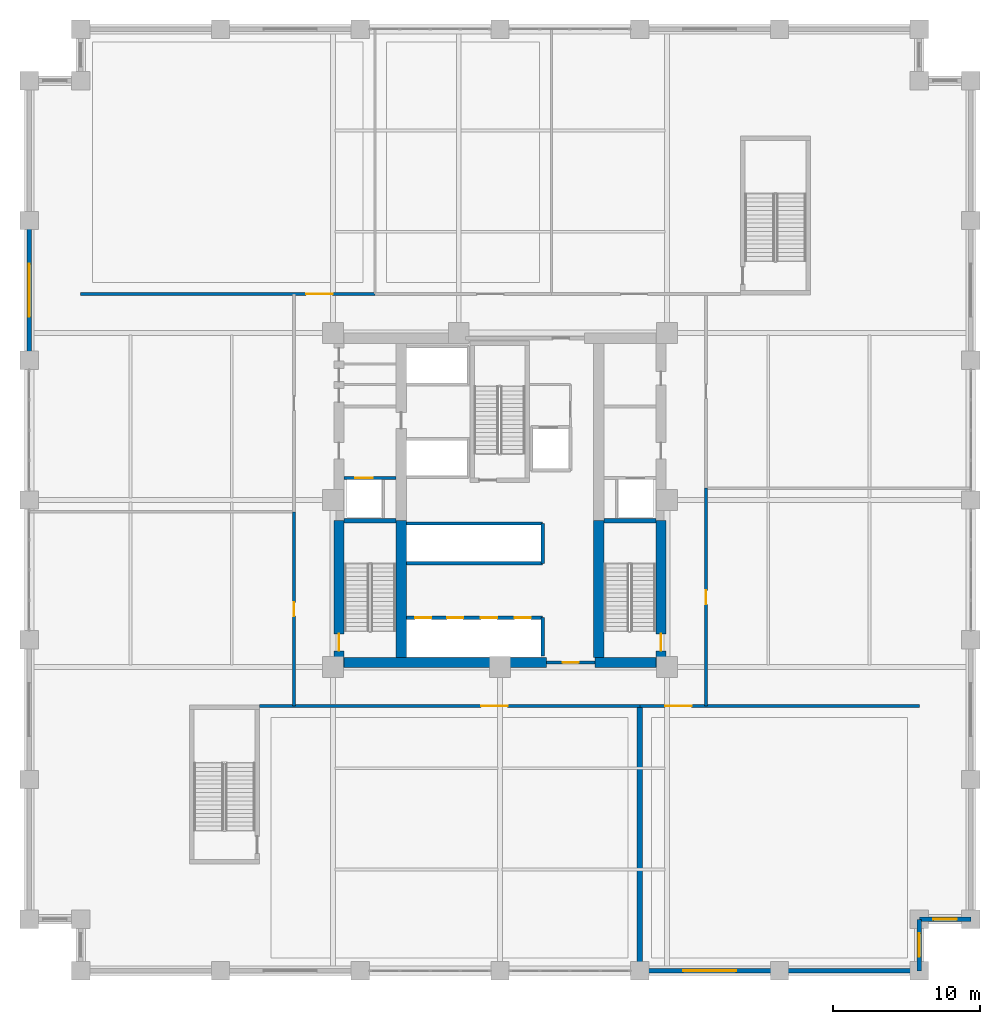
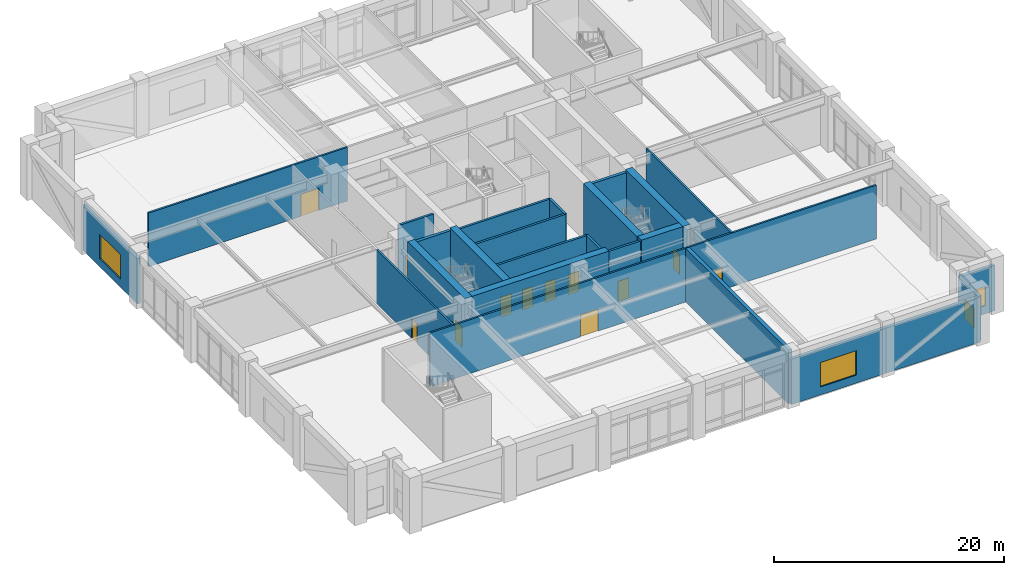
# One storey, part 12 of 21: 26 walls, 13 doors, 4 windows, 17 openings.
"""IFC4 building model written with IfcOpenShell, lengths in metres."""

from ifc_helpers import new_model, si_unit, direction, frame, frame_2d, origin, place, context, subcontext, project, spatial, rectangle, extrude, material, layer, layer_set, type_object, element, fill, save


model = new_model("IFC4")

# Units and contexts
model_context = context("Model", 3, precision=1e-05, world=origin(), true_north=direction((0.0, 1.0)))
body_context = subcontext(model_context, "Body", "Model", "MODEL_VIEW")
ifc_project = project(units=[si_unit("LENGTHUNIT", "METRE"), si_unit("AREAUNIT", "SQUARE_METRE"), si_unit("VOLUMEUNIT", "CUBIC_METRE"), si_unit("PLANEANGLEUNIT", "RADIAN"), si_unit("MASSUNIT", "GRAM", prefix="KILO")], contexts=[model_context])

# Site, building, storey
site_placement = place(None, origin())
site = spatial("IfcSite", under=ifc_project, at=site_placement, CompositionType="ELEMENT")
building_placement = place(site_placement, origin())
building = spatial("IfcBuilding", under=site, at=building_placement, Name="Nhamokura Convention Tower", CompositionType="ELEMENT")
storey_placement = place(building_placement, frame((0.0, 0.0, 17.85009765625)))
storey = spatial("IfcBuildingStorey", under=building, at=storey_placement, Name="L03", CompositionType="ELEMENT", Elevation=17.85009765625)

# Wall, opening, window
ifc_material_1 = material(Name="Bronze-pigmented precast concrete C45/55", Category="concrete")
ifc_layer_1 = layer(ifc_material_1, 0.320068359375)
ifc_layer_set_1 = layer_set([ifc_layer_1], Name="BronzePrecastSpandrel_320")
wall_type_1 = type_object("IfcWallType", Name="BronzePrecastSpandrel_320", PredefinedType="USERDEFINED", material=ifc_layer_set_1)
wall_1_placement = place(storey_placement, frame((51.0, 0.0, 0.0), z_axis=(0.0, 0.0, 1.0), x_axis=(-1.0, 0.0, 0.0)))
wall_1 = element("IfcWall", 1, at=wall_1_placement, inside=storey, type_object=wall_type_1, Name="L03 Masonry-Frame Wall SOUTH 4", ObjectType="SPANDREL_WALL", PredefinedType="USERDEFINED", context=body_context, shape_type="SweptSolid", body=[
    extrude(rectangle(XDim=9.5, YDim=0.320068359375, at=frame_2d((4.75, 0.0))), origin(), (0.0, 0.0, 1.0), 4.809814453125),
])
opening_1_placement = place(wall_1_placement, frame((2.949951171875, 0.0, 0.85009765625)))
opening_1 = element("IfcOpeningElement", 2, at=opening_1_placement, cuts=wall_1, Name="Opening W-01", PredefinedType="OPENING", context=body_context, shape_type="SweptSolid", body=[
    extrude(rectangle(XDim=3.60009765625, YDim=2.60009765625, at=frame_2d((1.800048828125, 1.300048828125))), frame((0.0, 0.169921875, 0.0), z_axis=(0.0, -1.0, 0.0), x_axis=(1.0, 0.0, 0.0)), (0.0, 0.0, 1.0), 0.340087890625),
])
ifc_material_2 = material(Name="Solar-control bronze low-E double glass", Category="glass")
window_type_1 = type_object("IfcWindowType", Name="PodiumClerestoryWindow_3600", PartitioningType="TRIPLE_PANEL_VERTICAL", PredefinedType="WINDOW", material=ifc_material_2)
window_1_placement = place(opening_1_placement, origin())
window_1 = element("IfcWindow", 3, at=window_1_placement, inside=storey, type_object=window_type_1, Name="L03 Facade Window SOUTH 4", OverallHeight=2.60009765625, OverallWidth=3.60009765625, PartitioningType="SINGLE_PANEL", PredefinedType="WINDOW", context=body_context, shape_type="SweptSolid", body=[
    extrude(rectangle(XDim=3.60009765625, YDim=2.60009765625, at=frame_2d((1.800048828125, 1.300048828125))), frame((0.0, 0.030029296875, 0.0), z_axis=(0.0, -1.0, 0.0), x_axis=(1.0, 0.0, 0.0)), (0.0, 0.0, 1.0), 0.06005859375),
])
fill(opening_1, window_1)

# Wall
wall_2_placement = place(storey_placement, frame((60.5, 0.0, 0.0), z_axis=(0.0, 0.0, 1.0), x_axis=(-1.0, 0.0, 0.0)))
element("IfcWall", 4, at=wall_2_placement, inside=storey, type_object=wall_type_1, Name="L03 Braced-Bay Precast Wall SOUTH 5", ObjectType="SPANDREL_WALL", PredefinedType="USERDEFINED", context=body_context, shape_type="SweptSolid", body=[
    extrude(rectangle(XDim=9.5, YDim=0.320068359375, at=frame_2d((4.75, 0.0))), origin(), (0.0, 0.0, 1.0), 4.809814453125),
])

# Wall, opening, window
wall_3_placement = place(storey_placement, frame((0.0, 41.5, 0.0), z_axis=(0.0, 0.0, 1.0), x_axis=(0.0, 1.0, 0.0)))
wall_3 = element("IfcWall", 5, at=wall_3_placement, inside=storey, type_object=wall_type_1, Name="L03 Masonry-Frame Wall WEST 4", ObjectType="SPANDREL_WALL", PredefinedType="USERDEFINED", context=body_context, shape_type="SweptSolid", body=[
    extrude(rectangle(XDim=9.5, YDim=0.320068359375, at=frame_2d((4.75, 0.0))), origin(), (0.0, 0.0, 1.0), 4.809814453125),
])
opening_2_placement = place(wall_3_placement, frame((2.949951171875, 0.0, 0.85009765625)))
opening_2 = element("IfcOpeningElement", 6, at=opening_2_placement, cuts=wall_3, Name="Opening W-01", PredefinedType="OPENING", context=body_context, shape_type="SweptSolid", body=[
    extrude(rectangle(XDim=3.60009765625, YDim=2.60009765625, at=frame_2d((1.800048828125, 1.300048828125))), frame((0.0, 0.169921875, 0.0), z_axis=(0.0, -1.0, 0.0), x_axis=(1.0, 0.0, 0.0)), (0.0, 0.0, 1.0), 0.340087890625),
])
window_2_placement = place(opening_2_placement, origin())
window_2 = element("IfcWindow", 7, at=window_2_placement, inside=storey, type_object=window_type_1, Name="L03 Facade Window WEST 4", OverallHeight=2.60009765625, OverallWidth=3.60009765625, PartitioningType="SINGLE_PANEL", PredefinedType="WINDOW", context=body_context, shape_type="SweptSolid", body=[
    extrude(rectangle(XDim=3.60009765625, YDim=2.60009765625, at=frame_2d((1.800048828125, 1.300048828125))), frame((0.0, 0.030029296875, 0.0), z_axis=(0.0, -1.0, 0.0), x_axis=(1.0, 0.0, 0.0)), (0.0, 0.0, 1.0), 0.06005859375),
])
fill(opening_2, window_2)

wall_4_placement = place(storey_placement, frame((60.5, 3.5, 0.0), z_axis=(0.0, 0.0, 1.0), x_axis=(0.0, -1.0, 0.0)))
wall_4 = element("IfcWall", 8, at=wall_4_placement, inside=storey, type_object=wall_type_1, Name="L03 Notched Corner Wall SE1", ObjectType="SPANDREL_WALL", PredefinedType="USERDEFINED", context=body_context, shape_type="SweptSolid", body=[
    extrude(rectangle(XDim=3.5, YDim=0.320068359375, at=frame_2d((1.75, 0.0))), origin(), (0.0, 0.0, 1.0), 4.809814453125),
])
opening_3_placement = place(wall_4_placement, frame((0.949951171875, 0.0, 0.85009765625)))
opening_3 = element("IfcOpeningElement", 9, at=opening_3_placement, cuts=wall_4, Name="Opening W-11", PredefinedType="OPENING", context=body_context, shape_type="SweptSolid", body=[
    extrude(rectangle(XDim=1.60009765625, YDim=2.050048828125, at=frame_2d((0.800048828125, 1.02490234375))), frame((0.0, 0.169921875, 0.0), z_axis=(0.0, -1.0, 0.0), x_axis=(1.0, 0.0, 0.0)), (0.0, 0.0, 1.0), 0.340087890625),
])
ifc_material_3 = material(Name="Solar-control bronze low-E double glass", Category="glass")
window_type_2 = type_object("IfcWindowType", Name="NotchCornerWindow_1600", PartitioningType="SINGLE_PANEL", PredefinedType="WINDOW", material=ifc_material_3)
window_3_placement = place(opening_3_placement, origin())
window_3 = element("IfcWindow", 10, at=window_3_placement, inside=storey, type_object=window_type_2, Name="L03 Notched Corner Window SE1", OverallHeight=2.050048828125, OverallWidth=1.60009765625, PartitioningType="SINGLE_PANEL", PredefinedType="WINDOW", context=body_context, shape_type="SweptSolid", body=[
    extrude(rectangle(XDim=1.60009765625, YDim=2.050048828125, at=frame_2d((0.800048828125, 1.02490234375))), frame((0.0, 0.030029296875, 0.0), z_axis=(0.0, -1.0, 0.0), x_axis=(1.0, 0.0, 0.0)), (0.0, 0.0, 1.0), 0.06005859375),
])
fill(opening_3, window_3)

wall_5_placement = place(storey_placement, frame((64.0, 3.5, 0.0), z_axis=(0.0, 0.0, 1.0), x_axis=(-1.0, 0.0, 0.0)))
wall_5 = element("IfcWall", 11, at=wall_5_placement, inside=storey, type_object=wall_type_1, Name="L03 Notched Corner Wall SE2", ObjectType="SPANDREL_WALL", PredefinedType="USERDEFINED", context=body_context, shape_type="SweptSolid", body=[
    extrude(rectangle(XDim=3.5, YDim=0.320068359375, at=frame_2d((1.75, 0.0))), origin(), (0.0, 0.0, 1.0), 4.809814453125),
])
opening_4_placement = place(wall_5_placement, frame((0.949951171875, 0.0, 0.85009765625)))
opening_4 = element("IfcOpeningElement", 12, at=opening_4_placement, cuts=wall_5, Name="Opening W-11", PredefinedType="OPENING", context=body_context, shape_type="SweptSolid", body=[
    extrude(rectangle(XDim=1.60009765625, YDim=2.050048828125, at=frame_2d((0.800048828125, 1.02490234375))), frame((0.0, 0.169921875, 0.0), z_axis=(0.0, -1.0, 0.0), x_axis=(1.0, 0.0, 0.0)), (0.0, 0.0, 1.0), 0.340087890625),
])
window_4_placement = place(opening_4_placement, origin())
window_4 = element("IfcWindow", 13, at=window_4_placement, inside=storey, type_object=window_type_2, Name="L03 Notched Corner Window SE2", OverallHeight=2.050048828125, OverallWidth=1.60009765625, PartitioningType="SINGLE_PANEL", PredefinedType="WINDOW", context=body_context, shape_type="SweptSolid", body=[
    extrude(rectangle(XDim=1.60009765625, YDim=2.050048828125, at=frame_2d((0.800048828125, 1.02490234375))), frame((0.0, 0.030029296875, 0.0), z_axis=(0.0, -1.0, 0.0), x_axis=(1.0, 0.0, 0.0)), (0.0, 0.0, 1.0), 0.06005859375),
])
fill(opening_4, window_4)

# Wall, opening, door
ifc_material_4 = material(Name="Concrete C70/85", Category="concrete")
ifc_layer_2 = layer(ifc_material_4, 0.699951171875)
ifc_layer_set_2 = layer_set([ifc_layer_2], Name="CoreShearWall_700")
wall_type_2 = type_object("IfcWallType", Name="CoreShearWall_700", PredefinedType="SHEAR", material=ifc_layer_set_2)
wall_6_placement = place(storey_placement, frame((21.06005859375, 20.60009765625, 0.0), z_axis=(0.0, 0.0, 1.0), x_axis=(0.0, 1.0, 0.0)))
wall_6 = element("IfcWall", 14, at=wall_6_placement, inside=storey, type_object=wall_type_2, Name="L03 Core Shear Wall CW-WS", PredefinedType="SHEAR", context=body_context, shape_type="SweptSolid", body=[
    extrude(rectangle(XDim=10.0, YDim=0.699951171875, at=frame_2d((5.0, 0.0))), origin(), (0.0, 0.0, 1.0), 5.949951171875),
])
opening_5_placement = place(wall_6_placement, frame((1.14990234375, 0.0, 0.0)))
opening_5 = element("IfcOpeningElement", 15, at=opening_5_placement, cuts=wall_6, Name="Opening D-04", PredefinedType="OPENING", context=body_context, shape_type="SweptSolid", body=[
    extrude(rectangle(XDim=1.14990234375, YDim=2.14990234375, at=frame_2d((0.574951171875, 1.074951171875))), frame((0.0, 0.35986328125, 0.0), z_axis=(0.0, -1.0, 0.0), x_axis=(1.0, 0.0, 0.0)), (0.0, 0.0, 1.0), 0.719970703125),
])
ifc_material_5 = material(Name="Fire-rated steel door", Category="steel")
door_type_1 = type_object("IfcDoorType", Name="StairSmokeDoor_1150", OperationType="NOTDEFINED", PredefinedType="DOOR", material=ifc_material_5)
door_1_placement = place(opening_5_placement, origin())
door_1 = element("IfcDoor", 16, at=door_1_placement, inside=storey, type_object=door_type_1, Name="L03 Core Door INT-L03-D-ST01", OperationType="SINGLE_SWING_LEFT", OverallHeight=2.14990234375, OverallWidth=1.14990234375, PredefinedType="DOOR", context=body_context, shape_type="SweptSolid", body=[
    extrude(rectangle(XDim=1.14990234375, YDim=2.14990234375, at=frame_2d((0.574951171875, 1.074951171875))), frame((0.0, 0.02490234375, 0.0), z_axis=(0.0, -1.0, 0.0), x_axis=(1.0, 0.0, 0.0)), (0.0, 0.0, 1.0), 0.050048828125),
])
fill(opening_5, door_1)

wall_7_placement = place(storey_placement, frame((42.93994140625, 20.60009765625, 0.0), z_axis=(0.0, 0.0, 1.0), x_axis=(0.0, 1.0, 0.0)))
wall_7 = element("IfcWall", 17, at=wall_7_placement, inside=storey, type_object=wall_type_2, Name="L03 Core Shear Wall CW-ES", PredefinedType="SHEAR", context=body_context, shape_type="SweptSolid", body=[
    extrude(rectangle(XDim=10.0, YDim=0.699951171875, at=frame_2d((5.0, 0.0))), origin(), (0.0, 0.0, 1.0), 5.949951171875),
])
opening_6_placement = place(wall_7_placement, frame((1.14990234375, 0.0, 0.0)))
opening_6 = element("IfcOpeningElement", 18, at=opening_6_placement, cuts=wall_7, Name="Opening D-04", PredefinedType="OPENING", context=body_context, shape_type="SweptSolid", body=[
    extrude(rectangle(XDim=1.14990234375, YDim=2.14990234375, at=frame_2d((0.574951171875, 1.074951171875))), frame((0.0, 0.35986328125, 0.0), z_axis=(0.0, -1.0, 0.0), x_axis=(1.0, 0.0, 0.0)), (0.0, 0.0, 1.0), 0.719970703125),
])
door_2_placement = place(opening_6_placement, origin())
door_2 = element("IfcDoor", 19, at=door_2_placement, inside=storey, type_object=door_type_1, Name="L03 Core Door INT-L03-D-ST02", OperationType="SINGLE_SWING_RIGHT", OverallHeight=2.14990234375, OverallWidth=1.14990234375, PredefinedType="DOOR", context=body_context, shape_type="SweptSolid", body=[
    extrude(rectangle(XDim=1.14990234375, YDim=2.14990234375, at=frame_2d((0.574951171875, 1.074951171875))), frame((0.0, 0.02490234375, 0.0), z_axis=(0.0, -1.0, 0.0), x_axis=(1.0, 0.0, 0.0)), (0.0, 0.0, 1.0), 0.050048828125),
])
fill(opening_6, door_2)

# Walls
wall_8_placement = place(storey_placement, frame((21.409912109375, 20.949951171875, 0.0), z_axis=(0.0, 0.0, 1.0), x_axis=(1.0, 0.0, 0.0)))
element("IfcWall", 20, at=wall_8_placement, inside=storey, type_object=wall_type_2, Name="L03 Core Shear Wall CW-S1", PredefinedType="SHEAR", context=body_context, shape_type="SweptSolid", body=[
    extrude(rectangle(XDim=13.739990234375, YDim=0.699951171875, at=frame_2d((6.8701171875, 0.0))), origin(), (0.0, 0.0, 1.0), 5.949951171875),
])
wall_9_placement = place(storey_placement, frame((38.449951171875, 20.949951171875, 0.0), z_axis=(0.0, 0.0, 1.0), x_axis=(1.0, 0.0, 0.0)))
element("IfcWall", 21, at=wall_9_placement, inside=storey, type_object=wall_type_2, Name="L03 Core Shear Wall CW-S2", PredefinedType="SHEAR", context=body_context, shape_type="SweptSolid", body=[
    extrude(rectangle(XDim=4.14013671875, YDim=0.699951171875, at=frame_2d((2.070068359375, 0.0))), origin(), (0.0, 0.0, 1.0), 5.949951171875),
])
for number, where, z_axis, x_axis, name in (
    (22, (25.2900390625, 21.300048828125, 0.0), (0.0, 0.0, 1.0), (0.0, 1.0, 0.0), "L03 Core Shear Wall CW-IWS"),
    (23, (38.7099609375, 21.300048828125, 0.0), (0.0, 0.0, 1.0), (0.0, 1.0, 0.0), "L03 Core Shear Wall CW-IES"),
):
    element("IfcWall", number, at=place(storey_placement, frame(where, z_axis=z_axis, x_axis=x_axis)), inside=storey, type_object=wall_type_2, Name=name, PredefinedType="SHEAR", context=body_context, shape_type="SweptSolid", body=[
        extrude(rectangle(XDim=9.300048828125, YDim=0.699951171875, at=frame_2d((4.64990234375, 0.0))), origin(), (0.0, 0.0, 1.0), 5.949951171875),
    ])

# Wall, opening, door
ifc_material_6 = material(Name="Fire-rated gypsum and masonry partition", Category="masonry")
ifc_layer_3 = layer(ifc_material_6, 0.179931640625)
ifc_layer_set_3 = layer_set([ifc_layer_3], Name="CorridorRatedWall_180")
wall_type_3 = type_object("IfcWallType", Name="CorridorRatedWall_180", PredefinedType="STANDARD", material=ifc_layer_set_3)
wall_10_placement = place(storey_placement, frame((15.64990234375, 18.0, 0.0), z_axis=(0.0, 0.0, 1.0), x_axis=(1.0, 0.0, 0.0)))
wall_10 = element("IfcWall", 24, at=wall_10_placement, inside=storey, type_object=wall_type_3, Name="L03 Wall INT-L03-CW-S00", PredefinedType="STANDARD", context=body_context, shape_type="SweptSolid", body=[
    extrude(rectangle(XDim=25.85009765625, YDim=0.179931640625, at=frame_2d((12.925048828125, 0.0))), origin(), (0.0, 0.0, 1.0), 5.7099609375),
])
opening_7_placement = place(wall_10_placement, frame((15.074951171875, 0.0, 0.0)))
opening_7 = element("IfcOpeningElement", 25, at=opening_7_placement, cuts=wall_10, Name="Opening D-03", PredefinedType="OPENING", context=body_context, shape_type="SweptSolid", body=[
    extrude(rectangle(XDim=1.800048828125, YDim=2.35009765625, at=frame_2d((0.89990234375, 1.175048828125))), frame((0.0, 0.099853515625, 0.0), z_axis=(0.0, -1.0, 0.0), x_axis=(1.0, 0.0, 0.0)), (0.0, 0.0, 1.0), 0.199951171875),
])
ifc_material_7 = material(Name="Solid oak hardwood", Category="wood")
door_type_2 = type_object("IfcDoorType", Name="BallroomDoubleDoor_1800", OperationType="DOUBLE_DOOR_SINGLE_SWING", PredefinedType="DOOR", material=ifc_material_7)
door_3_placement = place(opening_7_placement, origin())
door_3 = element("IfcDoor", 26, at=door_3_placement, inside=storey, type_object=door_type_2, Name="L03 Plenary Convention Auditorium S01 Door", OperationType="SINGLE_SWING_LEFT", OverallHeight=2.35009765625, OverallWidth=1.800048828125, PredefinedType="DOOR", context=body_context, shape_type="SweptSolid", body=[
    extrude(rectangle(XDim=1.800048828125, YDim=2.35009765625, at=frame_2d((0.89990234375, 1.175048828125))), frame((0.0, 0.02490234375, 0.0), z_axis=(0.0, -1.0, 0.0), x_axis=(1.0, 0.0, 0.0)), (0.0, 0.0, 1.0), 0.050048828125),
])
fill(opening_7, door_3)

wall_11_placement = place(storey_placement, frame((41.5, 18.0, 0.0), z_axis=(0.0, 0.0, 1.0), x_axis=(1.0, 0.0, 0.0)))
wall_11 = element("IfcWall", 27, at=wall_11_placement, inside=storey, type_object=wall_type_3, Name="L03 Wall INT-L03-CW-S01", PredefinedType="STANDARD", context=body_context, shape_type="SweptSolid", body=[
    extrude(rectangle(XDim=19.0, YDim=0.179931640625, at=frame_2d((9.5, 0.0))), origin(), (0.0, 0.0, 1.0), 5.7099609375),
])
opening_8_placement = place(wall_11_placement, frame((1.72509765625, 0.0, 0.0)))
opening_8 = element("IfcOpeningElement", 28, at=opening_8_placement, cuts=wall_11, Name="Opening D-03", PredefinedType="OPENING", context=body_context, shape_type="SweptSolid", body=[
    extrude(rectangle(XDim=1.800048828125, YDim=2.35009765625, at=frame_2d((0.89990234375, 1.175048828125))), frame((0.0, 0.099853515625, 0.0), z_axis=(0.0, -1.0, 0.0), x_axis=(1.0, 0.0, 0.0)), (0.0, 0.0, 1.0), 0.199951171875),
])
door_4_placement = place(opening_8_placement, origin())
door_4 = element("IfcDoor", 29, at=door_4_placement, inside=storey, type_object=door_type_2, Name="L03 Stage Control Suite S02 Door", OperationType="SINGLE_SWING_RIGHT", OverallHeight=2.35009765625, OverallWidth=1.800048828125, PredefinedType="DOOR", context=body_context, shape_type="SweptSolid", body=[
    extrude(rectangle(XDim=1.800048828125, YDim=2.35009765625, at=frame_2d((0.89990234375, 1.175048828125))), frame((0.0, 0.02490234375, 0.0), z_axis=(0.0, -1.0, 0.0), x_axis=(1.0, 0.0, 0.0)), (0.0, 0.0, 1.0), 0.050048828125),
])
fill(opening_8, door_4)

wall_12_placement = place(storey_placement, frame((3.5, 46.0, 0.0), z_axis=(0.0, 0.0, 1.0), x_axis=(1.0, 0.0, 0.0)))
wall_12 = element("IfcWall", 30, at=wall_12_placement, inside=storey, type_object=wall_type_3, Name="L03 Wall INT-L03-CW-N00", PredefinedType="STANDARD", context=body_context, shape_type="SweptSolid", body=[
    extrude(rectangle(XDim=20.0, YDim=0.179931640625, at=frame_2d((10.0, 0.0))), origin(), (0.0, 0.0, 1.0), 5.7099609375),
])
opening_9_placement = place(wall_12_placement, frame((15.324951171875, 0.0, 0.0)))
opening_9 = element("IfcOpeningElement", 31, at=opening_9_placement, cuts=wall_12, Name="Opening D-03", PredefinedType="OPENING", context=body_context, shape_type="SweptSolid", body=[
    extrude(rectangle(XDim=1.800048828125, YDim=2.35009765625, at=frame_2d((0.89990234375, 1.175048828125))), frame((0.0, 0.099853515625, 0.0), z_axis=(0.0, -1.0, 0.0), x_axis=(1.0, 0.0, 0.0)), (0.0, 0.0, 1.0), 0.199951171875),
])
door_5_placement = place(opening_9_placement, origin())
door_5 = element("IfcDoor", 32, at=door_5_placement, inside=storey, type_object=door_type_2, Name="L03 Grand Foyer N01 Door", OperationType="SINGLE_SWING_LEFT", OverallHeight=2.35009765625, OverallWidth=1.800048828125, PredefinedType="DOOR", context=body_context, shape_type="SweptSolid", body=[
    extrude(rectangle(XDim=1.800048828125, YDim=2.35009765625, at=frame_2d((0.89990234375, 1.175048828125))), frame((0.0, 0.02490234375, 0.0), z_axis=(0.0, -1.0, 0.0), x_axis=(1.0, 0.0, 0.0)), (0.0, 0.0, 1.0), 0.050048828125),
])
fill(opening_9, door_5)

wall_13_placement = place(storey_placement, frame((18.0, 18.0, 0.0), z_axis=(0.0, 0.0, 1.0), x_axis=(0.0, 1.0, 0.0)))
wall_13 = element("IfcWall", 33, at=wall_13_placement, inside=storey, type_object=wall_type_3, Name="L03 Wall INT-L03-CW-W00", PredefinedType="STANDARD", context=body_context, shape_type="SweptSolid", body=[
    extrude(rectangle(XDim=13.199951171875, YDim=0.179931640625, at=frame_2d((6.60009765625, 0.0))), origin(), (0.0, 0.0, 1.0), 5.7099609375),
])
opening_10_placement = place(wall_13_placement, frame((6.10009765625, 0.0, 0.0)))
opening_10 = element("IfcOpeningElement", 34, at=opening_10_placement, cuts=wall_13, Name="Opening D-09", PredefinedType="OPENING", context=body_context, shape_type="SweptSolid", body=[
    extrude(rectangle(XDim=0.949951171875, YDim=2.14990234375, at=frame_2d((0.47509765625, 1.074951171875))), frame((0.0, 0.099853515625, 0.0), z_axis=(0.0, -1.0, 0.0), x_axis=(1.0, 0.0, 0.0)), (0.0, 0.0, 1.0), 0.199951171875),
])
ifc_material_8 = material(Name="Solid oak hardwood", Category="wood")
door_type_3 = type_object("IfcDoorType", Name="MeetingRoomDoor_950", OperationType="NOTDEFINED", PredefinedType="DOOR", material=ifc_material_8)
door_6_placement = place(opening_10_placement, origin())
door_6 = element("IfcDoor", 35, at=door_6_placement, inside=storey, type_object=door_type_3, Name="L03 Private Office W01 Door", OperationType="SINGLE_SWING_LEFT", OverallHeight=2.14990234375, OverallWidth=0.949951171875, PredefinedType="DOOR", context=body_context, shape_type="SweptSolid", body=[
    extrude(rectangle(XDim=0.949951171875, YDim=2.14990234375, at=frame_2d((0.47509765625, 1.074951171875))), frame((0.0, 0.02490234375, 0.0), z_axis=(0.0, -1.0, 0.0), x_axis=(1.0, 0.0, 0.0)), (0.0, 0.0, 1.0), 0.050048828125),
])
fill(opening_10, door_6)

wall_14_placement = place(storey_placement, frame((46.0, 18.0, 0.0), z_axis=(0.0, 0.0, 1.0), x_axis=(0.0, 1.0, 0.0)))
wall_14 = element("IfcWall", 36, at=wall_14_placement, inside=storey, type_object=wall_type_3, Name="L03 Wall INT-L03-CW-E00", PredefinedType="STANDARD", context=body_context, shape_type="SweptSolid", body=[
    extrude(rectangle(XDim=14.800048828125, YDim=0.179931640625, at=frame_2d((7.39990234375, 0.0))), origin(), (0.0, 0.0, 1.0), 5.7099609375),
])
opening_11_placement = place(wall_14_placement, frame((6.89990234375, 0.0, 0.0)))
opening_11 = element("IfcOpeningElement", 37, at=opening_11_placement, cuts=wall_14, Name="Opening D-09", PredefinedType="OPENING", context=body_context, shape_type="SweptSolid", body=[
    extrude(rectangle(XDim=0.949951171875, YDim=2.14990234375, at=frame_2d((0.47509765625, 1.074951171875))), frame((0.0, 0.099853515625, 0.0), z_axis=(0.0, -1.0, 0.0), x_axis=(1.0, 0.0, 0.0)), (0.0, 0.0, 1.0), 0.199951171875),
])
door_7_placement = place(opening_11_placement, origin())
door_7 = element("IfcDoor", 38, at=door_7_placement, inside=storey, type_object=door_type_3, Name="L03 Delegate Business Lounge E01 Door", OperationType="SINGLE_SWING_LEFT", OverallHeight=2.14990234375, OverallWidth=0.949951171875, PredefinedType="DOOR", context=body_context, shape_type="SweptSolid", body=[
    extrude(rectangle(XDim=0.949951171875, YDim=2.14990234375, at=frame_2d((0.47509765625, 1.074951171875))), frame((0.0, 0.02490234375, 0.0), z_axis=(0.0, -1.0, 0.0), x_axis=(1.0, 0.0, 0.0)), (0.0, 0.0, 1.0), 0.050048828125),
])
fill(opening_11, door_7)

ifc_material_9 = material(Name="Autoclaved concrete blockwork", Category="masonry")
ifc_layer_4 = layer(ifc_material_9, 0.219970703125)
ifc_layer_set_4 = layer_set([ifc_layer_4], Name="FireLobbyWall_220")
wall_type_4 = type_object("IfcWallType", Name="FireLobbyWall_220", PredefinedType="STANDARD", material=ifc_layer_set_4)
wall_15_placement = place(storey_placement, frame((21.409912109375, 33.5, 0.0), z_axis=(0.0, 0.0, 1.0), x_axis=(1.0, 0.0, 0.0)))
wall_15 = element("IfcWall", 39, at=wall_15_placement, inside=storey, type_object=wall_type_4, Name="L03 Wall INT-L03-FFW-S", PredefinedType="STANDARD", context=body_context, shape_type="SweptSolid", body=[
    extrude(rectangle(XDim=3.530029296875, YDim=0.219970703125, at=frame_2d((1.76513671875, 0.0))), origin(), (0.0, 0.0, 1.0), 5.7099609375),
])
opening_12_placement = place(wall_15_placement, frame((0.75, 0.0, 0.0)))
opening_12 = element("IfcOpeningElement", 40, at=opening_12_placement, cuts=wall_15, Name="Opening LD-02", PredefinedType="OPENING", context=body_context, shape_type="SweptSolid", body=[
    extrude(rectangle(XDim=1.199951171875, YDim=2.199951171875, at=frame_2d((0.60009765625, 1.10009765625))), frame((0.0, 0.119873046875, 0.0), z_axis=(0.0, -1.0, 0.0), x_axis=(1.0, 0.0, 0.0)), (0.0, 0.0, 1.0), 0.239990234375),
])
ifc_material_10 = material(Name="Anodised bronze stainless steel", Category="steel")
door_type_4 = type_object("IfcDoorType", Name="LiftLandingDoor_FireService", OperationType="DOUBLE_DOOR_SLIDING", PredefinedType="DOOR", material=ifc_material_10)
door_8_placement = place(opening_12_placement, origin())
door_8 = element("IfcDoor", 41, at=door_8_placement, inside=storey, type_object=door_type_4, Name="L03 Firefighting Lift LF-01 Door", OperationType="DOUBLE_DOOR_SLIDING", OverallHeight=2.199951171875, OverallWidth=1.199951171875, PredefinedType="DOOR", context=body_context, shape_type="SweptSolid", body=[
    extrude(rectangle(XDim=1.199951171875, YDim=2.199951171875, at=frame_2d((0.60009765625, 1.10009765625))), frame((0.0, 0.02490234375, 0.0), z_axis=(0.0, -1.0, 0.0), x_axis=(1.0, 0.0, 0.0)), (0.0, 0.0, 1.0), 0.050048828125),
])
fill(opening_12, door_8)

wall_16_placement = place(storey_placement, frame((35.14990234375, 20.949951171875, 0.0), z_axis=(0.0, 0.0, 1.0), x_axis=(1.0, 0.0, 0.0)))
wall_16 = element("IfcWall", 42, at=wall_16_placement, inside=storey, type_object=wall_type_4, Name="L03 Wall INT-L03-SPORT-S", PredefinedType="STANDARD", context=body_context, shape_type="SweptSolid", body=[
    extrude(rectangle(XDim=3.300048828125, YDim=0.219970703125, at=frame_2d((1.64990234375, 0.0))), origin(), (0.0, 0.0, 1.0), 5.7099609375),
])
opening_13_placement = place(wall_16_placement, frame((1.10009765625, 0.0, 0.0)))
opening_13 = element("IfcOpeningElement", 43, at=opening_13_placement, cuts=wall_16, Name="Opening D-05", PredefinedType="OPENING", context=body_context, shape_type="SweptSolid", body=[
    extrude(rectangle(XDim=1.10009765625, YDim=2.14990234375, at=frame_2d((0.550048828125, 1.074951171875))), frame((0.0, 0.119873046875, 0.0), z_axis=(0.0, -1.0, 0.0), x_axis=(1.0, 0.0, 0.0)), (0.0, 0.0, 1.0), 0.239990234375),
])
ifc_material_11 = material(Name="Fire-rated steel door", Category="steel")
door_type_5 = type_object("IfcDoorType", Name="FireLobbyDoor_1100", OperationType="NOTDEFINED", PredefinedType="DOOR", material=ifc_material_11)
door_9_placement = place(opening_13_placement, origin())
door_9 = element("IfcDoor", 44, at=door_9_placement, inside=storey, type_object=door_type_5, Name="L03 South Core Lobby Portal Door", OperationType="SINGLE_SWING_LEFT", OverallHeight=2.14990234375, OverallWidth=1.10009765625, PredefinedType="DOOR", context=body_context, shape_type="SweptSolid", body=[
    extrude(rectangle(XDim=1.10009765625, YDim=2.14990234375, at=frame_2d((0.550048828125, 1.074951171875))), frame((0.0, 0.02490234375, 0.0), z_axis=(0.0, -1.0, 0.0), x_axis=(1.0, 0.0, 0.0)), (0.0, 0.0, 1.0), 0.050048828125),
])
fill(opening_13, door_9)

# Wall, openings, doors
wall_17_placement = place(storey_placement, frame((25.64990234375, 24.0, 0.0), z_axis=(0.0, 0.0, 1.0), x_axis=(1.0, 0.0, 0.0)))
wall_17 = element("IfcWall", 45, at=wall_17_placement, inside=storey, type_object=wall_type_4, Name="L03 Wall INT-L03-B1N", PredefinedType="STANDARD", context=body_context, shape_type="SweptSolid", body=[
    extrude(rectangle(XDim=9.25, YDim=0.219970703125, at=frame_2d((4.625, 0.0))), origin(), (0.0, 0.0, 1.0), 5.7099609375),
])
opening_14_placement = place(wall_17_placement, frame((0.580078125, 0.0, 0.0)))
opening_14 = element("IfcOpeningElement", 46, at=opening_14_placement, cuts=wall_17, Name="Opening LD-01", PredefinedType="OPENING", context=body_context, shape_type="SweptSolid", body=[
    extrude(rectangle(XDim=1.10009765625, YDim=2.14990234375, at=frame_2d((0.550048828125, 1.074951171875))), frame((0.0, 0.119873046875, 0.0), z_axis=(0.0, -1.0, 0.0), x_axis=(1.0, 0.0, 0.0)), (0.0, 0.0, 1.0), 0.239990234375),
])
opening_15_placement = place(wall_17_placement, frame((2.75, 0.0, 0.0)))
opening_15 = element("IfcOpeningElement", 47, at=opening_15_placement, cuts=wall_17, Name="Opening LD-01", PredefinedType="OPENING", context=body_context, shape_type="SweptSolid", body=[
    extrude(rectangle(XDim=1.10009765625, YDim=2.14990234375, at=frame_2d((0.550048828125, 1.074951171875))), frame((0.0, 0.119873046875, 0.0), z_axis=(0.0, -1.0, 0.0), x_axis=(1.0, 0.0, 0.0)), (0.0, 0.0, 1.0), 0.239990234375),
])
opening_16_placement = place(wall_17_placement, frame((5.050048828125, 0.0, 0.0)))
opening_16 = element("IfcOpeningElement", 48, at=opening_16_placement, cuts=wall_17, Name="Opening LD-01", PredefinedType="OPENING", context=body_context, shape_type="SweptSolid", body=[
    extrude(rectangle(XDim=1.10009765625, YDim=2.14990234375, at=frame_2d((0.550048828125, 1.074951171875))), frame((0.0, 0.119873046875, 0.0), z_axis=(0.0, -1.0, 0.0), x_axis=(1.0, 0.0, 0.0)), (0.0, 0.0, 1.0), 0.239990234375),
])
opening_17_placement = place(wall_17_placement, frame((7.35009765625, 0.0, 0.0)))
opening_17 = element("IfcOpeningElement", 49, at=opening_17_placement, cuts=wall_17, Name="Opening LD-01", PredefinedType="OPENING", context=body_context, shape_type="SweptSolid", body=[
    extrude(rectangle(XDim=1.10009765625, YDim=2.14990234375, at=frame_2d((0.550048828125, 1.074951171875))), frame((0.0, 0.119873046875, 0.0), z_axis=(0.0, -1.0, 0.0), x_axis=(1.0, 0.0, 0.0)), (0.0, 0.0, 1.0), 0.239990234375),
])
ifc_material_12 = material(Name="Anodised bronze stainless steel", Category="steel")
door_type_6 = type_object("IfcDoorType", Name="LiftLandingDoor_Passenger", OperationType="DOUBLE_DOOR_SLIDING", PredefinedType="DOOR", material=ifc_material_12)
door_10_placement = place(opening_14_placement, origin())
door_10 = element("IfcDoor", 50, at=door_10_placement, inside=storey, type_object=door_type_6, Name="L03 Lift LP-01 Landing Door", OperationType="DOUBLE_DOOR_SLIDING", OverallHeight=2.14990234375, OverallWidth=1.10009765625, PredefinedType="DOOR", context=body_context, shape_type="SweptSolid", body=[
    extrude(rectangle(XDim=1.10009765625, YDim=2.14990234375, at=frame_2d((0.550048828125, 1.074951171875))), frame((0.0, 0.02490234375, 0.0), z_axis=(0.0, -1.0, 0.0), x_axis=(1.0, 0.0, 0.0)), (0.0, 0.0, 1.0), 0.050048828125),
])
fill(opening_14, door_10)
door_11_placement = place(opening_15_placement, origin())
door_11 = element("IfcDoor", 51, at=door_11_placement, inside=storey, type_object=door_type_6, Name="L03 Lift LP-02 Landing Door", OperationType="DOUBLE_DOOR_SLIDING", OverallHeight=2.14990234375, OverallWidth=1.10009765625, PredefinedType="DOOR", context=body_context, shape_type="SweptSolid", body=[
    extrude(rectangle(XDim=1.10009765625, YDim=2.14990234375, at=frame_2d((0.550048828125, 1.074951171875))), frame((0.0, 0.02490234375, 0.0), z_axis=(0.0, -1.0, 0.0), x_axis=(1.0, 0.0, 0.0)), (0.0, 0.0, 1.0), 0.050048828125),
])
fill(opening_15, door_11)
door_12_placement = place(opening_16_placement, origin())
door_12 = element("IfcDoor", 52, at=door_12_placement, inside=storey, type_object=door_type_6, Name="L03 Lift LP-03 Landing Door", OperationType="DOUBLE_DOOR_SLIDING", OverallHeight=2.14990234375, OverallWidth=1.10009765625, PredefinedType="DOOR", context=body_context, shape_type="SweptSolid", body=[
    extrude(rectangle(XDim=1.10009765625, YDim=2.14990234375, at=frame_2d((0.550048828125, 1.074951171875))), frame((0.0, 0.02490234375, 0.0), z_axis=(0.0, -1.0, 0.0), x_axis=(1.0, 0.0, 0.0)), (0.0, 0.0, 1.0), 0.050048828125),
])
fill(opening_16, door_12)
door_13_placement = place(opening_17_placement, origin())
door_13 = element("IfcDoor", 53, at=door_13_placement, inside=storey, type_object=door_type_6, Name="L03 Lift LP-04 Landing Door", OperationType="DOUBLE_DOOR_SLIDING", OverallHeight=2.14990234375, OverallWidth=1.10009765625, PredefinedType="DOOR", context=body_context, shape_type="SweptSolid", body=[
    extrude(rectangle(XDim=1.10009765625, YDim=2.14990234375, at=frame_2d((0.550048828125, 1.074951171875))), frame((0.0, 0.02490234375, 0.0), z_axis=(0.0, -1.0, 0.0), x_axis=(1.0, 0.0, 0.0)), (0.0, 0.0, 1.0), 0.050048828125),
])
fill(opening_17, door_13)

# Walls
wall_18_placement = place(storey_placement, frame((34.89990234375, 21.39990234375, 0.0), z_axis=(0.0, 0.0, 1.0), x_axis=(0.0, 1.0, 0.0)))
element("IfcWall", 54, at=wall_18_placement, inside=storey, type_object=wall_type_4, Name="L03 Wall INT-L03-B1E", PredefinedType="STANDARD", context=body_context, shape_type="SweptSolid", body=[
    extrude(rectangle(XDim=2.60009765625, YDim=0.219970703125, at=frame_2d((1.300048828125, 0.0))), origin(), (0.0, 0.0, 1.0), 5.7099609375),
])
for number, where, z_axis, x_axis, name in (
    (55, (25.64990234375, 27.699951171875, 0.0), (0.0, 0.0, 1.0), (1.0, 0.0, 0.0), "L03 Wall INT-L03-B2S"),
    (56, (25.64990234375, 30.39990234375, 0.0), (0.0, 0.0, 1.0), (1.0, 0.0, 0.0), "L03 Wall INT-L03-B2N"),
):
    element("IfcWall", number, at=place(storey_placement, frame(where, z_axis=z_axis, x_axis=x_axis)), inside=storey, type_object=wall_type_4, Name=name, PredefinedType="STANDARD", context=body_context, shape_type="SweptSolid", body=[
        extrude(rectangle(XDim=9.25, YDim=0.219970703125, at=frame_2d((4.625, 0.0))), origin(), (0.0, 0.0, 1.0), 5.7099609375),
    ])
wall_19_placement = place(storey_placement, frame((34.89990234375, 27.699951171875, 0.0), z_axis=(0.0, 0.0, 1.0), x_axis=(0.0, 1.0, 0.0)))
element("IfcWall", 57, at=wall_19_placement, inside=storey, type_object=wall_type_4, Name="L03 Wall INT-L03-B2E", PredefinedType="STANDARD", context=body_context, shape_type="SweptSolid", body=[
    extrude(rectangle(XDim=2.699951171875, YDim=0.219970703125, at=frame_2d((1.35009765625, 0.0))), origin(), (0.0, 0.0, 1.0), 5.7099609375),
])
ifc_material_13 = material(Name="Concrete C50/60", Category="concrete")
ifc_layer_5 = layer(ifc_material_13, 0.35009765625)
ifc_layer_set_5 = layer_set([ifc_layer_5], Name="FirewallPlant_350")
wall_type_5 = type_object("IfcWallType", Name="FirewallPlant_350", PredefinedType="STANDARD", material=ifc_layer_set_5)
wall_20_placement = place(storey_placement, frame((41.5, 0.06005859375, 0.0), z_axis=(0.0, 0.0, 1.0), x_axis=(0.0, 1.0, 0.0)))
element("IfcWall", 58, at=wall_20_placement, inside=storey, type_object=wall_type_5, Name="L03 Wall INT-L03-RW-S01", PredefinedType="STANDARD", context=body_context, shape_type="SweptSolid", body=[
    extrude(rectangle(XDim=17.93994140625, YDim=0.35009765625, at=frame_2d((8.969970703125, 0.0))), origin(), (0.0, 0.0, 1.0), 5.7099609375),
])
ifc_material_14 = material(Name="Concrete C50/60", Category="concrete")
ifc_layer_6 = layer(ifc_material_14, 0.300048828125)
ifc_layer_set_6 = layer_set([ifc_layer_6], Name="ShaftEnclosureWall_300")
wall_type_6 = type_object("IfcWallType", Name="ShaftEnclosureWall_300", PredefinedType="SHEAR", material=ifc_layer_set_6)
for number, where, z_axis, x_axis, name in (
    (59, (21.409912109375, 30.60009765625, 0.0), (0.0, 0.0, 1.0), (1.0, 0.0, 0.0), "L03 Wall INT-L03-ST01-N"),
    (60, (39.06005859375, 30.60009765625, 0.0), (0.0, 0.0, 1.0), (1.0, 0.0, 0.0), "L03 Wall INT-L03-ST02-N"),
):
    element("IfcWall", number, at=place(storey_placement, frame(where, z_axis=z_axis, x_axis=x_axis)), inside=storey, type_object=wall_type_6, Name=name, PredefinedType="SHEAR", context=body_context, shape_type="SweptSolid", body=[
        extrude(rectangle(XDim=3.530029296875, YDim=0.300048828125, at=frame_2d((1.76513671875, 0.0))), origin(), (0.0, 0.0, 1.0), 5.7099609375),
    ])

save(model, "model.ifc")
